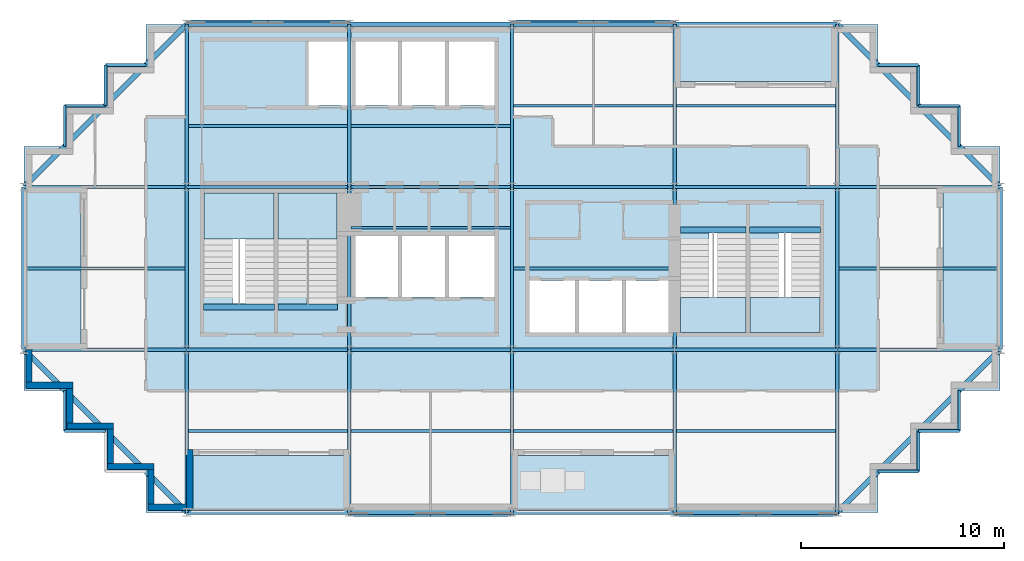
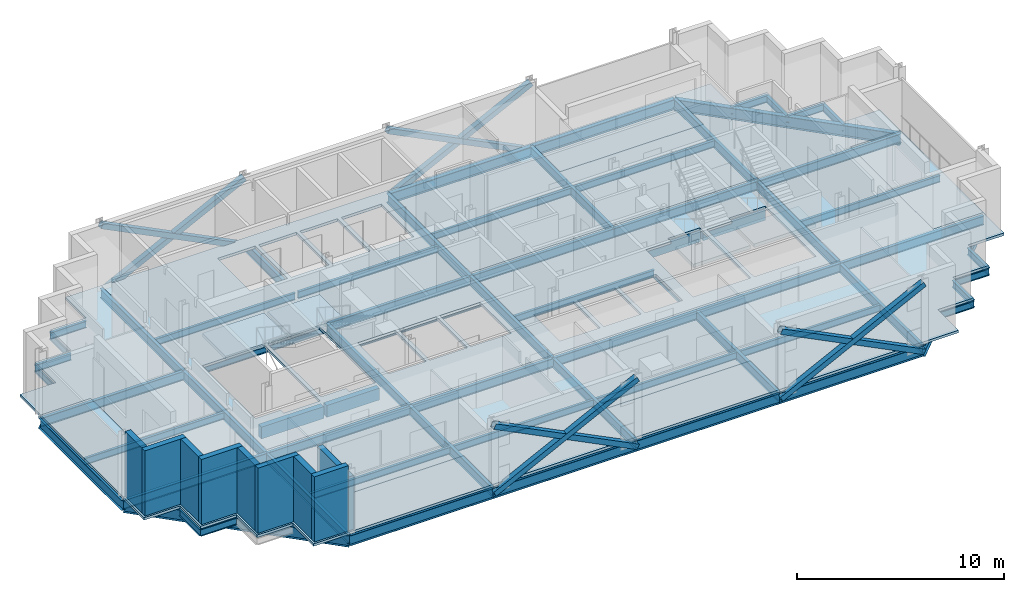
# One storey, part 3 of 10: 71 beams, 12 slabs, 9 walls, 8 members, 4 elements without a shape of their own.
"""IFC4 building model written with IfcOpenShell, lengths in metres."""

from ifc_helpers import new_model, si_unit, direction, frame, frame_2d, origin, origin_2d, place, context, subcontext, project, spatial, polyline, rectangle, hollow_rectangle, i_section, outline, extrude, material, layer, layer_set, material_profile, profile_set, type_object, element, aggregate, save


model = new_model("IFC4")

# Units and contexts
model_context = context("Model", 3, precision=1e-05, world=origin(), true_north=direction((0.0, 1.0)))
body_context = subcontext(model_context, "Body", "Model", "MODEL_VIEW")
ifc_project = project(units=[si_unit("LENGTHUNIT", "METRE"), si_unit("AREAUNIT", "SQUARE_METRE"), si_unit("VOLUMEUNIT", "CUBIC_METRE"), si_unit("PLANEANGLEUNIT", "RADIAN"), si_unit("MASSUNIT", "GRAM", prefix="KILO")], contexts=[model_context])

# Site, building, storey
site_placement = place(None, origin())
site = spatial("IfcSite", under=ifc_project, at=site_placement, CompositionType="ELEMENT")
building_placement = place(site_placement, origin())
building = spatial("IfcBuilding", under=site, at=building_placement, Name="Immortelle Media Tower", CompositionType="ELEMENT")
storey_placement = place(building_placement, frame((0.0, 0.0, 221.0)))
storey = spatial("IfcBuildingStorey", under=building, at=storey_placement, Name="L47", CompositionType="ELEMENT", Elevation=221.0)

# Members
ifc_material_1 = material(Name="Steel ASTM A500 Gr C", Category="steel")
ifc_material_profile_1 = material_profile(ifc_material_1, hollow_rectangle(XDim=0.304931640625, YDim=0.304931640625, WallThickness=0.011962890625, at=origin_2d()), Name="HSS12x12x1/2 brace")
ifc_profile_set_1 = profile_set([ifc_material_profile_1], Name="Steel ASTM A500 Gr C")
member_type = type_object("IfcMemberType", Name="HSS12x12x1/2 brace", PredefinedType="BRACE", material=ifc_profile_set_1)
for number, where, z_axis, x_axis, name in (
    (1, (16.0, -0.0625, -0.4560546875), (0.894427191, 0.0, 0.4472135955), (0.0, 1.0, 0.0), "Brace A/3-4 A"),
    (2, (16.0, -0.0625, 3.5439453125), (0.894427191, 0.0, -0.4472135955), (0.0, 1.0, 0.0), "Brace A/3-4 B"),
    (3, (32.0, -0.0625, -0.4560546875), (0.894427191, 0.0, 0.4472135955), (0.0, 1.0, 0.0), "Brace A/5-6 A"),
    (4, (32.0, -0.0625, 3.5439453125), (0.894427191, 0.0, -0.4472135955), (0.0, 1.0, 0.0), "Brace A/5-6 B"),
    (5, (32.0, 24.0625, -0.4560546875), (-0.894427191, 0.0, 0.4472135955), (0.0, -1.0, 0.0), "Brace D/4-5 A"),
    (6, (32.0, 24.0625, 3.5439453125), (-0.894427191, 0.0, -0.4472135955), (0.0, -1.0, 0.0), "Brace D/4-5 B"),
    (7, (16.0, 24.0625, -0.4560546875), (-0.894427191, 0.0, 0.4472135955), (0.0, -1.0, 0.0), "Brace D/2-3 A"),
    (8, (16.0, 24.0625, 3.5439453125), (-0.894427191, 0.0, -0.4472135955), (0.0, -1.0, 0.0), "Brace D/2-3 B"),
):
    element("IfcMember", number, at=place(storey_placement, frame(where, z_axis=z_axis, x_axis=x_axis)), inside=storey, type_object=member_type, Name=name, PredefinedType="BRACE", context=body_context, shape_type="SweptSolid", body=[
        extrude(hollow_rectangle(XDim=0.304931640625, YDim=0.304931640625, WallThickness=0.011962890625, at=origin_2d()), origin(), (0.0, 0.0, 1.0), 8.9443359375),
    ])

# Beams
ifc_material_2 = material(Name="Concrete C50/60", Category="concrete")
ifc_material_profile_2 = material_profile(ifc_material_2, rectangle(XDim=0.300048828125, YDim=0.699951171875, at=origin_2d()), Name="RC 300x700")
ifc_profile_set_2 = profile_set([ifc_material_profile_2], Name="Concrete C50/60")
beam_type_1 = type_object("IfcBeamType", Name="Stair trimmer beam 300 x 700", PredefinedType="BEAM", material=ifc_profile_set_2)
beam_1_placement = place(storey_placement, frame((8.830078125, 10.10498046875, -0.5), z_axis=(1.0, 0.0, 0.0), x_axis=(0.0, 1.0, 0.0)))
element("IfcBeam", 9, at=beam_1_placement, inside=storey, type_object=beam_type_1, Name="Stair trimmer beam SW1", PredefinedType="BEAM", context=body_context, shape_type="SweptSolid", body=[
    extrude(rectangle(XDim=0.300048828125, YDim=0.699951171875, at=origin_2d()), origin(), (0.0, 0.0, 1.0), 3.489990234375),
])
beam_2_placement = place(storey_placement, frame((12.47998046875, 10.10498046875, -0.5), z_axis=(1.0, 0.0, 0.0), x_axis=(0.0, 1.0, 0.0)))
element("IfcBeam", 10, at=beam_2_placement, inside=storey, type_object=beam_type_1, Name="Stair trimmer beam SW2", PredefinedType="BEAM", context=body_context, shape_type="SweptSolid", body=[
    extrude(rectangle(XDim=0.300048828125, YDim=0.699951171875, at=origin_2d()), origin(), (0.0, 0.0, 1.0), 2.93994140625),
])
beam_3_placement = place(storey_placement, frame((32.280029296875, 13.89501953125, -0.5), z_axis=(1.0, 0.0, 0.0), x_axis=(0.0, 1.0, 0.0)))
element("IfcBeam", 11, at=beam_3_placement, inside=storey, type_object=beam_type_1, Name="Stair trimmer beam SE1", PredefinedType="BEAM", context=body_context, shape_type="SweptSolid", body=[
    extrude(rectangle(XDim=0.300048828125, YDim=0.699951171875, at=origin_2d()), origin(), (0.0, 0.0, 1.0), 3.239990234375),
])
beam_4_placement = place(storey_placement, frame((35.679931640625, 13.89501953125, -0.5), z_axis=(1.0, 0.0, 0.0), x_axis=(0.0, 1.0, 0.0)))
element("IfcBeam", 12, at=beam_4_placement, inside=storey, type_object=beam_type_1, Name="Stair trimmer beam SE2", PredefinedType="BEAM", context=body_context, shape_type="SweptSolid", body=[
    extrude(rectangle(XDim=0.300048828125, YDim=0.699951171875, at=origin_2d()), origin(), (0.0, 0.0, 1.0), 3.489990234375),
])
ifc_material_3 = material(Name="Steel ASTM A992 Gr 50", Category="steel")
ifc_material_profile_3 = material_profile(ifc_material_3, i_section(OverallWidth=0.139892578125, OverallDepth=0.404052734375, WebThickness=0.007080078125, FlangeThickness=0.010986328125, at=origin_2d()), Name="W16x31")
ifc_profile_set_3 = profile_set([ifc_material_profile_3], Name="Steel ASTM A992 Gr 50")
beam_type_2 = type_object("IfcBeamType", Name="W16x31 secondary beam", PredefinedType="JOIST", material=ifc_profile_set_3)
for number, where, z_axis, x_axis, name in (
    (13, (8.08349609375, 4.0, -0.35205078125), (1.0, 0.0, 0.0), (0.0, 1.0, 0.0), "Beam A-B/2-3"),
    (14, (16.08349609375, 4.0, -0.35205078125), (1.0, 0.0, 0.0), (0.0, 1.0, 0.0), "Beam A-B/3-4"),
    (15, (24.08349609375, 4.0, -0.35205078125), (1.0, 0.0, 0.0), (0.0, 1.0, 0.0), "Beam A-B/4-5"),
    (16, (32.08349609375, 4.0, -0.35205078125), (1.0, 0.0, 0.0), (0.0, 1.0, 0.0), "Beam A-B/5-6"),
):
    element("IfcBeam", number, at=place(storey_placement, frame(where, z_axis=z_axis, x_axis=x_axis)), inside=storey, type_object=beam_type_2, Name=name, PredefinedType="JOIST", context=body_context, shape_type="SweptSolid", body=[
        extrude(i_section(OverallWidth=0.139892578125, OverallDepth=0.404052734375, WebThickness=0.007080078125, FlangeThickness=0.010986328125, at=origin_2d()), origin(), (0.0, 0.0, 1.0), 7.8330078125),
    ])
beam_5_placement = place(storey_placement, frame((0.114501953125, 12.0, -0.35205078125), z_axis=(1.0, 0.0, 0.0), x_axis=(0.0, 1.0, 0.0)))
element("IfcBeam", 17, at=beam_5_placement, inside=storey, type_object=beam_type_2, Name="Beam B-C/1-2", PredefinedType="JOIST", context=body_context, shape_type="SweptSolid", body=[
    extrude(i_section(OverallWidth=0.139892578125, OverallDepth=0.404052734375, WebThickness=0.007080078125, FlangeThickness=0.010986328125, at=origin_2d()), origin(), (0.0, 0.0, 1.0), 7.802001953125),
])
for number, where, z_axis, x_axis, name in (
    (18, (16.08349609375, 14.0, -0.35205078125), (1.0, 0.0, 0.0), (0.0, 1.0, 0.0), "Beam B-C/3-4"),
    (19, (24.08349609375, 12.0, -0.35205078125), (1.0, 0.0, 0.0), (0.0, 1.0, 0.0), "Beam B-C/4-5"),
):
    element("IfcBeam", number, at=place(storey_placement, frame(where, z_axis=z_axis, x_axis=x_axis)), inside=storey, type_object=beam_type_2, Name=name, PredefinedType="JOIST", context=body_context, shape_type="SweptSolid", body=[
        extrude(i_section(OverallWidth=0.139892578125, OverallDepth=0.404052734375, WebThickness=0.007080078125, FlangeThickness=0.010986328125, at=origin_2d()), origin(), (0.0, 0.0, 1.0), 7.8330078125),
    ])
beam_6_placement = place(storey_placement, frame((40.08349609375, 12.0, -0.35205078125), z_axis=(1.0, 0.0, 0.0), x_axis=(0.0, 1.0, 0.0)))
element("IfcBeam", 20, at=beam_6_placement, inside=storey, type_object=beam_type_2, Name="Beam B-C/6-7", PredefinedType="JOIST", context=body_context, shape_type="SweptSolid", body=[
    extrude(i_section(OverallWidth=0.139892578125, OverallDepth=0.404052734375, WebThickness=0.007080078125, FlangeThickness=0.010986328125, at=origin_2d()), origin(), (0.0, 0.0, 1.0), 7.802001953125),
])
for number, where, z_axis, x_axis, name in (
    (21, (8.08349609375, 19.0, -0.35205078125), (1.0, 0.0, 0.0), (0.0, 1.0, 0.0), "Beam C-D/2-3"),
    (22, (16.08349609375, 19.0, -0.35205078125), (1.0, 0.0, 0.0), (0.0, 1.0, 0.0), "Beam C-D/3-4"),
    (23, (24.08349609375, 20.0, -0.35205078125), (1.0, 0.0, 0.0), (0.0, 1.0, 0.0), "Beam C-D/4-5"),
    (24, (32.08349609375, 20.0, -0.35205078125), (1.0, 0.0, 0.0), (0.0, 1.0, 0.0), "Beam C-D/5-6"),
):
    element("IfcBeam", number, at=place(storey_placement, frame(where, z_axis=z_axis, x_axis=x_axis)), inside=storey, type_object=beam_type_2, Name=name, PredefinedType="JOIST", context=body_context, shape_type="SweptSolid", body=[
        extrude(i_section(OverallWidth=0.139892578125, OverallDepth=0.404052734375, WebThickness=0.007080078125, FlangeThickness=0.010986328125, at=origin_2d()), origin(), (0.0, 0.0, 1.0), 7.8330078125),
    ])
ifc_material_profile_4 = material_profile(ifc_material_3, i_section(OverallWidth=0.139892578125, OverallDepth=0.404052734375, WebThickness=0.007080078125, FlangeThickness=0.010986328125, at=origin_2d()), Name="W16x31")
ifc_profile_set_4 = profile_set([ifc_material_profile_4], Name="Steel ASTM A992 Gr 50")
beam_type_3 = type_object("IfcBeamType", Name="W16x31 serration edge beam", PredefinedType="SPANDREL", material=ifc_profile_set_4)
for number, where, z_axis, x_axis, name in (
    (25, (4.0, 4.0, -0.35205078125), (-1.0, 0.0, 0.0), (0.0, -1.0, 0.0), "Corner edge beam 3 at 1/A"),
    (26, (2.0, 4.0, -0.35205078125), (0.0, 1.0, 0.0), (-1.0, 0.0, 0.0), "Corner edge beam 4 at 1/A"),
    (27, (2.0, 18.0, -0.35205078125), (0.0, 1.0, 0.0), (-1.0, 0.0, 0.0), "Corner edge beam 1 at 1/D"),
    (28, (2.0, 20.0, -0.35205078125), (1.0, 0.0, 0.0), (0.0, 1.0, 0.0), "Corner edge beam 2 at 1/D"),
    (29, (4.0, 20.0, -0.35205078125), (0.0, 1.0, 0.0), (-1.0, 0.0, 0.0), "Corner edge beam 3 at 1/D"),
    (30, (4.0, 22.0, -0.35205078125), (1.0, 0.0, 0.0), (0.0, 1.0, 0.0), "Corner edge beam 4 at 1/D"),
    (31, (46.0, 6.0, -0.35205078125), (0.0, -1.0, 0.0), (1.0, 0.0, 0.0), "Corner edge beam 1 at 7/A"),
    (32, (46.0, 4.0, -0.35205078125), (-1.0, 0.0, 0.0), (0.0, -1.0, 0.0), "Corner edge beam 2 at 7/A"),
    (33, (44.0, 4.0, -0.35205078125), (0.0, -1.0, 0.0), (1.0, 0.0, 0.0), "Corner edge beam 3 at 7/A"),
    (34, (44.0, 2.0, -0.35205078125), (-1.0, 0.0, 0.0), (0.0, -1.0, 0.0), "Corner edge beam 4 at 7/A"),
    (35, (42.0, 22.0, -0.35205078125), (1.0, 0.0, 0.0), (0.0, 1.0, 0.0), "Corner edge beam 1 at 7/D"),
    (36, (44.0, 22.0, -0.35205078125), (0.0, -1.0, 0.0), (1.0, 0.0, 0.0), "Corner edge beam 2 at 7/D"),
    (37, (44.0, 20.0, -0.35205078125), (1.0, 0.0, 0.0), (0.0, 1.0, 0.0), "Corner edge beam 3 at 7/D"),
    (38, (46.0, 20.0, -0.35205078125), (0.0, -1.0, 0.0), (1.0, 0.0, 0.0), "Corner edge beam 4 at 7/D"),
):
    element("IfcBeam", number, at=place(storey_placement, frame(where, z_axis=z_axis, x_axis=x_axis)), inside=storey, type_object=beam_type_3, Name=name, PredefinedType="SPANDREL", context=body_context, shape_type="SweptSolid", body=[
        extrude(i_section(OverallWidth=0.139892578125, OverallDepth=0.404052734375, WebThickness=0.007080078125, FlangeThickness=0.010986328125, at=origin_2d()), origin(), (0.0, 0.0, 1.0), 2.0),
    ])
ifc_material_profile_5 = material_profile(ifc_material_3, i_section(OverallWidth=0.1669921875, OverallDepth=0.535888671875, WebThickness=0.010009765625, FlangeThickness=0.01708984375, at=origin_2d()), Name="W21x57")
ifc_profile_set_5 = profile_set([ifc_material_profile_5], Name="Steel ASTM A992 Gr 50")
beam_type_4 = type_object("IfcBeamType", Name="W21x57 girder", PredefinedType="BEAM", material=ifc_profile_set_5)
for number, where, z_axis, x_axis, name in (
    (39, (0.0, 8.0, -0.41796875), (1.0, 0.0, 0.0), (0.0, 1.0, 0.0), "Girder B/1-2"),
    (40, (0.0, 16.0, -0.41796875), (1.0, 0.0, 0.0), (0.0, 1.0, 0.0), "Girder C/1-2"),
    (41, (8.0, 0.0, -0.41796875), (0.0, 1.0, 0.0), (-1.0, 0.0, 0.0), "Girder 2/A-B"),
    (42, (8.0, 8.0, -0.41796875), (1.0, 0.0, 0.0), (0.0, 1.0, 0.0), "Girder B/2-3"),
    (43, (8.0, 8.0, -0.41796875), (0.0, 1.0, 0.0), (-1.0, 0.0, 0.0), "Girder 2/B-C"),
    (44, (8.0, 16.0, -0.41796875), (1.0, 0.0, 0.0), (0.0, 1.0, 0.0), "Girder C/2-3"),
    (45, (8.0, 16.0, -0.41796875), (0.0, 1.0, 0.0), (-1.0, 0.0, 0.0), "Girder 2/C-D"),
    (46, (16.0, 0.0, -0.41796875), (0.0, 1.0, 0.0), (-1.0, 0.0, 0.0), "Girder 3/A-B"),
    (47, (16.0, 8.0, -0.41796875), (1.0, 0.0, 0.0), (0.0, 1.0, 0.0), "Girder B/3-4"),
    (48, (16.0, 8.0, -0.41796875), (0.0, 1.0, 0.0), (-1.0, 0.0, 0.0), "Girder 3/B-C"),
    (49, (16.0, 16.0, -0.41796875), (1.0, 0.0, 0.0), (0.0, 1.0, 0.0), "Girder C/3-4"),
    (50, (16.0, 16.0, -0.41796875), (0.0, 1.0, 0.0), (-1.0, 0.0, 0.0), "Girder 3/C-D"),
    (51, (24.0, 0.0, -0.41796875), (0.0, 1.0, 0.0), (-1.0, 0.0, 0.0), "Girder 4/A-B"),
    (52, (24.0, 8.0, -0.41796875), (1.0, 0.0, 0.0), (0.0, 1.0, 0.0), "Girder B/4-5"),
    (53, (24.0, 8.0, -0.41796875), (0.0, 1.0, 0.0), (-1.0, 0.0, 0.0), "Girder 4/B-C"),
    (54, (24.0, 16.0, -0.41796875), (1.0, 0.0, 0.0), (0.0, 1.0, 0.0), "Girder C/4-5"),
    (55, (24.0, 16.0, -0.41796875), (0.0, 1.0, 0.0), (-1.0, 0.0, 0.0), "Girder 4/C-D"),
    (56, (32.0, 0.0, -0.41796875), (0.0, 1.0, 0.0), (-1.0, 0.0, 0.0), "Girder 5/A-B"),
    (57, (32.0, 8.0, -0.41796875), (1.0, 0.0, 0.0), (0.0, 1.0, 0.0), "Girder B/5-6"),
    (58, (32.0, 8.0, -0.41796875), (0.0, 1.0, 0.0), (-1.0, 0.0, 0.0), "Girder 5/B-C"),
    (59, (32.0, 16.0, -0.41796875), (1.0, 0.0, 0.0), (0.0, 1.0, 0.0), "Girder C/5-6"),
    (60, (32.0, 16.0, -0.41796875), (0.0, 1.0, 0.0), (-1.0, 0.0, 0.0), "Girder 5/C-D"),
    (61, (40.0, 0.0, -0.41796875), (0.0, 1.0, 0.0), (-1.0, 0.0, 0.0), "Girder 6/A-B"),
    (62, (40.0, 8.0, -0.41796875), (1.0, 0.0, 0.0), (0.0, 1.0, 0.0), "Girder B/6-7"),
    (63, (40.0, 8.0, -0.41796875), (0.0, 1.0, 0.0), (-1.0, 0.0, 0.0), "Girder 6/B-C"),
    (64, (40.0, 16.0, -0.41796875), (1.0, 0.0, 0.0), (0.0, 1.0, 0.0), "Girder C/6-7"),
    (65, (40.0, 16.0, -0.41796875), (0.0, 1.0, 0.0), (-1.0, 0.0, 0.0), "Girder 6/C-D"),
):
    element("IfcBeam", number, at=place(storey_placement, frame(where, z_axis=z_axis, x_axis=x_axis)), inside=storey, type_object=beam_type_4, Name=name, PredefinedType="BEAM", context=body_context, shape_type="SweptSolid", body=[
        extrude(i_section(OverallWidth=0.1669921875, OverallDepth=0.535888671875, WebThickness=0.010009765625, FlangeThickness=0.01708984375, at=origin_2d()), origin(), (0.0, 0.0, 1.0), 8.0),
    ])
ifc_material_profile_6 = material_profile(ifc_material_3, i_section(OverallWidth=0.22900390625, OverallDepth=0.612060546875, WebThickness=0.011962890625, FlangeThickness=0.02001953125, at=origin_2d()), Name="W24x84")
ifc_profile_set_6 = profile_set([ifc_material_profile_6], Name="Steel ASTM A992 Gr 50")
beam_type_5 = type_object("IfcBeamType", Name="W24x84 perimeter girder", PredefinedType="SPANDREL", material=ifc_profile_set_6)
for number, where, z_axis, x_axis, name in (
    (66, (0.0, 8.0, -0.4560546875), (0.0, 1.0, 0.0), (-1.0, 0.0, 0.0), "Girder 1/B-C"),
    (67, (8.0, 0.0, -0.4560546875), (1.0, 0.0, 0.0), (0.0, 1.0, 0.0), "Girder A/2-3"),
    (68, (8.0, 24.0, -0.4560546875), (1.0, 0.0, 0.0), (0.0, 1.0, 0.0), "Girder D/2-3"),
    (69, (16.0, 0.0, -0.4560546875), (1.0, 0.0, 0.0), (0.0, 1.0, 0.0), "Girder A/3-4"),
    (70, (16.0, 24.0, -0.4560546875), (1.0, 0.0, 0.0), (0.0, 1.0, 0.0), "Girder D/3-4"),
    (71, (24.0, 0.0, -0.4560546875), (1.0, 0.0, 0.0), (0.0, 1.0, 0.0), "Girder A/4-5"),
    (72, (24.0, 24.0, -0.4560546875), (1.0, 0.0, 0.0), (0.0, 1.0, 0.0), "Girder D/4-5"),
    (73, (32.0, 0.0, -0.4560546875), (1.0, 0.0, 0.0), (0.0, 1.0, 0.0), "Girder A/5-6"),
    (74, (32.0, 24.0, -0.4560546875), (1.0, 0.0, 0.0), (0.0, 1.0, 0.0), "Girder D/5-6"),
    (75, (48.0, 8.0, -0.4560546875), (0.0, 1.0, 0.0), (-1.0, 0.0, 0.0), "Girder 7/B-C"),
):
    element("IfcBeam", number, at=place(storey_placement, frame(where, z_axis=z_axis, x_axis=x_axis)), inside=storey, type_object=beam_type_5, Name=name, PredefinedType="SPANDREL", context=body_context, shape_type="SweptSolid", body=[
        extrude(i_section(OverallWidth=0.22900390625, OverallDepth=0.612060546875, WebThickness=0.011962890625, FlangeThickness=0.02001953125, at=origin_2d()), origin(), (0.0, 0.0, 1.0), 8.0),
    ])
ifc_material_profile_7 = material_profile(ifc_material_3, i_section(OverallWidth=0.2529296875, OverallDepth=0.677978515625, WebThickness=0.011962890625, FlangeThickness=0.01611328125, at=origin_2d()), Name="W27x84")
ifc_profile_set_7 = profile_set([ifc_material_profile_7], Name="Steel ASTM A992 Gr 50")
beam_type_6 = type_object("IfcBeamType", Name="W27x84 corner girder", PredefinedType="SPANDREL", material=ifc_profile_set_7)
for number, where, z_axis, x_axis, name in (
    (76, (8.0, 0.0, -0.489013671875), (-0.707106781187, 0.707106781187, 0.0), (-0.707106781187, -0.707106781187, 0.0), "Corner girder at 1/A"),
    (77, (0.0, 16.0, -0.489013671875), (0.707106781187, 0.707106781187, 0.0), (-0.707106781187, 0.707106781187, 0.0), "Corner girder at 1/D"),
    (78, (48.0, 8.0, -0.489013671875), (-0.707106781187, -0.707106781187, 0.0), (0.707106781187, -0.707106781187, 0.0), "Corner girder at 7/A"),
    (79, (40.0, 24.0, -0.489013671875), (0.707106781187, -0.707106781187, 0.0), (0.707106781187, 0.707106781187, 0.0), "Corner girder at 7/D"),
):
    element("IfcBeam", number, at=place(storey_placement, frame(where, z_axis=z_axis, x_axis=x_axis)), inside=storey, type_object=beam_type_6, Name=name, PredefinedType="SPANDREL", context=body_context, shape_type="SweptSolid", body=[
        extrude(i_section(OverallWidth=0.2529296875, OverallDepth=0.677978515625, WebThickness=0.011962890625, FlangeThickness=0.01611328125, at=origin_2d()), origin(), (0.0, 0.0, 1.0), 11.313720703125),
    ])

# Slabs
ifc_material_4 = material(Name="Concrete C50/60 composite deck", Category="concrete")
ifc_layer_1 = layer(ifc_material_4, 0.14990234375)
ifc_layer_set_1 = layer_set([ifc_layer_1], Name="Concrete C50/60 composite deck")
slab_type_1 = type_object("IfcSlabType", Name="Balcony slab 150", PredefinedType="FLOOR", material=ifc_layer_set_1)
slab_1_placement = place(storey_placement, frame((0.0, 0.0, -0.14990234375)))
element("IfcSlab", 80, at=slab_1_placement, inside=storey, type_object=slab_type_1, Name="Balcony slab L47 S0", PredefinedType="FLOOR", context=body_context, shape_type="SweptSolid", body=[
    extrude(outline(polyline([(16.0, 0.0), (16.0, 2.800048828125), (8.0, 2.800048828125), (8.0, 0.0), (16.0, 0.0)])), origin(), (0.0, 0.0, 1.0), 0.14990234375),
])
slab_2_placement = place(storey_placement, frame((0.0, 0.0, -0.14990234375)))
element("IfcSlab", 81, at=slab_2_placement, inside=storey, type_object=slab_type_1, Name="Balcony slab L47 S2", PredefinedType="FLOOR", context=body_context, shape_type="SweptSolid", body=[
    extrude(outline(polyline([(32.0, 0.0), (32.0, 2.800048828125), (24.0, 2.800048828125), (24.0, 0.0), (32.0, 0.0)])), origin(), (0.0, 0.0, 1.0), 0.14990234375),
])
slab_3_placement = place(storey_placement, frame((0.0, 0.0, -0.14990234375)))
element("IfcSlab", 82, at=slab_3_placement, inside=storey, type_object=slab_type_1, Name="Balcony slab L47 E0", PredefinedType="FLOOR", context=body_context, shape_type="SweptSolid", body=[
    extrude(outline(polyline([(48.0, 8.0), (48.0, 16.0), (45.199951171875, 16.0), (45.199951171875, 8.0), (48.0, 8.0)])), origin(), (0.0, 0.0, 1.0), 0.14990234375),
])
slab_4_placement = place(storey_placement, frame((0.0, 0.0, -0.14990234375)))
element("IfcSlab", 83, at=slab_4_placement, inside=storey, type_object=slab_type_1, Name="Balcony slab L47 N0", PredefinedType="FLOOR", context=body_context, shape_type="SweptSolid", body=[
    extrude(outline(polyline([(40.0, 21.199951171875), (40.0, 24.0), (32.0, 24.0), (32.0, 21.199951171875), (40.0, 21.199951171875)])), origin(), (0.0, 0.0, 1.0), 0.14990234375),
])
slab_5_placement = place(storey_placement, frame((0.0, 0.0, -0.14990234375)))
element("IfcSlab", 84, at=slab_5_placement, inside=storey, type_object=slab_type_1, Name="Balcony slab L47 W0", PredefinedType="FLOOR", context=body_context, shape_type="SweptSolid", body=[
    extrude(outline(polyline([(2.800048828125, 8.0), (2.800048828125, 16.0), (0.0, 16.0), (0.0, 8.0), (2.800048828125, 8.0)])), origin(), (0.0, 0.0, 1.0), 0.14990234375),
])
ifc_layer_2 = layer(ifc_material_2, 0.14990234375)
ifc_layer_set_2 = layer_set([ifc_layer_2], Name="Concrete C50/60")
slab_type_2 = type_object("IfcSlabType", Name="Composite floor slab 150", PredefinedType="FLOOR", material=ifc_layer_set_2)
slab_6_placement = place(storey_placement, frame((0.0, 0.0, -0.14990234375)))
element("IfcSlab", 85, at=slab_6_placement, inside=storey, type_object=slab_type_2, Name="Floor slab L47", PredefinedType="FLOOR", context=body_context, shape_type="SweptSolid", body=[
    extrude(outline(polyline([(6.0, 0.0), (6.0, 2.0), (4.0, 2.0), (4.0, 4.0), (2.0, 4.0), (2.0, 6.0), (0.0, 6.0), (0.0, 8.0), (2.800048828125, 8.0), (2.800048828125, 16.0), (0.0, 16.0), (0.0, 18.0), (2.0, 18.0), (2.0, 20.0), (4.0, 20.0), (4.0, 22.0), (6.0, 22.0), (6.0, 24.0), (8.0, 24.0), (8.0, 8.0), (24.0, 8.0), (40.0, 8.0), (40.0, 16.0), (24.0, 16.0), (24.0, 21.199951171875), (24.0, 24.0), (32.0, 24.0), (32.0, 21.199951171875), (40.0, 21.199951171875), (40.0, 24.0), (42.0, 24.0), (42.0, 22.0), (44.0, 22.0), (44.0, 20.0), (46.0, 20.0), (46.0, 18.0), (48.0, 18.0), (48.0, 16.0), (45.199951171875, 16.0), (45.199951171875, 8.0), (48.0, 8.0), (48.0, 6.0), (46.0, 6.0), (46.0, 4.0), (44.0, 4.0), (44.0, 2.0), (42.0, 2.0), (42.0, 0.0), (32.0, 0.0), (32.0, 2.800048828125), (24.0, 2.800048828125), (24.0, 0.0), (16.0, 0.0), (16.0, 2.800048828125), (8.0, 2.800048828125), (8.0, 0.0), (6.0, 0.0)])), origin(), (0.0, 0.0, 1.0), 0.14990234375),
])
ifc_layer_3 = layer(ifc_material_2, 0.14990234375)
ifc_layer_set_3 = layer_set([ifc_layer_3], Name="Concrete C50/60")
slab_type_3 = type_object("IfcSlabType", Name="Core floor slab 150", PredefinedType="FLOOR", material=ifc_layer_set_3)
slab_7_placement = place(storey_placement, frame((0.0, 0.0, -0.14990234375)))
element("IfcSlab", 86, at=slab_7_placement, inside=storey, type_object=slab_type_3, Name="Core floor SW", PredefinedType="FLOOR", context=body_context, shape_type="SweptSolid", body=[
    extrude(outline(polyline([(8.0, 8.0), (24.0, 8.0), (24.0, 24.0), (8.0, 24.0), (8.0, 8.0)]), holes=[polyline([(14.0, 20.0), (16.10009765625, 20.0), (16.10009765625, 23.14990234375), (14.0, 23.14990234375), (14.0, 20.0)]), polyline([(16.300048828125, 20.0), (18.39990234375, 20.0), (18.39990234375, 23.14990234375), (16.300048828125, 23.14990234375), (16.300048828125, 20.0)]), polyline([(18.60009765625, 20.0), (20.699951171875, 20.0), (20.699951171875, 23.14990234375), (18.60009765625, 23.14990234375), (18.60009765625, 20.0)]), polyline([(20.89990234375, 20.0), (23.14990234375, 20.0), (23.14990234375, 23.14990234375), (20.89990234375, 23.14990234375), (20.89990234375, 20.0)]), polyline([(16.300048828125, 10.60009765625), (18.39990234375, 10.60009765625), (18.39990234375, 13.60009765625), (16.300048828125, 13.60009765625), (16.300048828125, 10.60009765625)]), polyline([(18.60009765625, 10.60009765625), (20.699951171875, 10.60009765625), (20.699951171875, 13.60009765625), (18.60009765625, 13.60009765625), (18.60009765625, 10.60009765625)]), polyline([(20.89990234375, 10.60009765625), (23.14990234375, 10.60009765625), (23.14990234375, 13.60009765625), (20.89990234375, 13.60009765625), (20.89990234375, 10.60009765625)]), polyline([(8.85009765625, 15.699951171875), (12.300048828125, 15.699951171875), (12.300048828125, 10.27001953125), (10.25, 10.27001953125), (10.25, 10.56005859375), (8.85009765625, 10.56005859375), (8.85009765625, 15.699951171875)]), polyline([(12.5, 15.699951171875), (15.39990234375, 15.699951171875), (15.39990234375, 10.27001953125), (13.89990234375, 10.27001953125), (13.89990234375, 10.56005859375), (12.5, 10.56005859375), (12.5, 15.699951171875)])]), origin(), (0.0, 0.0, 1.0), 0.14990234375),
])
slab_8_placement = place(storey_placement, frame((0.0, 0.0, -0.14990234375)))
element("IfcSlab", 87, at=slab_8_placement, inside=storey, type_object=slab_type_3, Name="Core floor SE", PredefinedType="FLOOR", context=body_context, shape_type="SweptSolid", body=[
    extrude(outline(polyline([(24.0, 8.0), (40.0, 8.0), (40.0, 16.0), (24.0, 16.0), (24.0, 8.0)]), holes=[polyline([(24.85009765625, 8.85009765625), (27.10009765625, 8.85009765625), (27.10009765625, 11.39990234375), (24.85009765625, 11.39990234375), (24.85009765625, 8.85009765625)]), polyline([(27.300048828125, 8.85009765625), (29.39990234375, 8.85009765625), (29.39990234375, 11.39990234375), (27.300048828125, 11.39990234375), (27.300048828125, 8.85009765625)]), polyline([(29.60009765625, 8.85009765625), (31.699951171875, 8.85009765625), (31.699951171875, 11.39990234375), (29.60009765625, 11.39990234375), (29.60009765625, 8.85009765625)]), polyline([(35.5, 13.72998046875), (35.5, 8.85009765625), (32.300048828125, 8.85009765625), (32.300048828125, 13.43994140625), (33.699951171875, 13.43994140625), (33.699951171875, 13.72998046875), (35.5, 13.72998046875)]), polyline([(39.14990234375, 13.72998046875), (39.14990234375, 8.85009765625), (35.699951171875, 8.85009765625), (35.699951171875, 13.43994140625), (37.10009765625, 13.43994140625), (37.10009765625, 13.72998046875), (39.14990234375, 13.72998046875)])]), origin(), (0.0, 0.0, 1.0), 0.14990234375),
])

# Stair, slab
stair_type = type_object("IfcStairType", Name="Stair with flights", PredefinedType="DOUBLE_RETURN_STAIR", material=ifc_material_3)
stair_1_placement = place(storey_placement, origin())
stair_1 = element("IfcStair", 88, at=stair_1_placement, inside=storey, type_object=stair_type, Name="Exit stair SW1", PredefinedType="DOUBLE_RETURN_STAIR")
ifc_material_5 = material(Name="Steel ASTM A572 Gr 50", Category="steel")
ifc_layer_4 = layer(ifc_material_5, 0.199951171875)
ifc_layer_set_4 = layer_set([ifc_layer_4], Name="Steel ASTM A572 Gr 50")
slab_type_4 = type_object("IfcSlabType", Name="Stair landing 200", PredefinedType="LANDING", material=ifc_layer_set_4)
slab_9_placement = place(storey_placement, frame((0.0, 0.0, 1.713134765625)))
slab_9 = element("IfcSlab", 89, at=slab_9_placement, type_object=slab_type_4, Name="ST SW1 landing 1", PredefinedType="LANDING", context=body_context, shape_type="SweptSolid", body=[
    extrude(outline(polyline([(8.85009765625, 13.43994140625), (12.300048828125, 13.43994140625), (12.300048828125, 15.699951171875), (8.85009765625, 15.699951171875), (8.85009765625, 13.43994140625)])), origin(), (0.0, 0.0, 1.0), 0.199951171875),
])
aggregate(stair_1, [slab_9])

stair_2_placement = place(storey_placement, origin())
stair_2 = element("IfcStair", 90, at=stair_2_placement, inside=storey, type_object=stair_type, Name="Exit stair SW2", PredefinedType="DOUBLE_RETURN_STAIR")
slab_10_placement = place(storey_placement, frame((0.0, 0.0, 1.713134765625)))
slab_10 = element("IfcSlab", 91, at=slab_10_placement, type_object=slab_type_4, Name="ST SW2 landing 1", PredefinedType="LANDING", context=body_context, shape_type="SweptSolid", body=[
    extrude(outline(polyline([(12.5, 13.43994140625), (15.39990234375, 13.43994140625), (15.39990234375, 15.699951171875), (12.5, 15.699951171875), (12.5, 13.43994140625)])), origin(), (0.0, 0.0, 1.0), 0.199951171875),
])
aggregate(stair_2, [slab_10])

stair_3_placement = place(storey_placement, origin())
stair_3 = element("IfcStair", 92, at=stair_3_placement, inside=storey, type_object=stair_type, Name="Exit stair SE1", PredefinedType="DOUBLE_RETURN_STAIR")
slab_11_placement = place(storey_placement, frame((0.0, 0.0, 1.713134765625)))
slab_11 = element("IfcSlab", 93, at=slab_11_placement, type_object=slab_type_4, Name="ST SE1 landing 1", PredefinedType="LANDING", context=body_context, shape_type="SweptSolid", body=[
    extrude(outline(polyline([(32.300048828125, 8.85009765625), (35.5, 8.85009765625), (35.5, 10.56005859375), (32.300048828125, 10.56005859375), (32.300048828125, 8.85009765625)])), origin(), (0.0, 0.0, 1.0), 0.199951171875),
])
aggregate(stair_3, [slab_11])

stair_4_placement = place(storey_placement, origin())
stair_4 = element("IfcStair", 94, at=stair_4_placement, inside=storey, type_object=stair_type, Name="Exit stair SE2", PredefinedType="DOUBLE_RETURN_STAIR")
slab_12_placement = place(storey_placement, frame((0.0, 0.0, 1.713134765625)))
slab_12 = element("IfcSlab", 95, at=slab_12_placement, type_object=slab_type_4, Name="ST SE2 landing 1", PredefinedType="LANDING", context=body_context, shape_type="SweptSolid", body=[
    extrude(outline(polyline([(35.699951171875, 8.85009765625), (39.14990234375, 8.85009765625), (39.14990234375, 10.56005859375), (35.699951171875, 10.56005859375), (35.699951171875, 8.85009765625)])), origin(), (0.0, 0.0, 1.0), 0.199951171875),
])
aggregate(stair_4, [slab_12])

# Walls
ifc_material_6 = material(Name="Pale aluminium cladding panel", Category="aluminium")
ifc_layer_5 = layer(ifc_material_6, 0.030029296875)
ifc_material_7 = material(Name="Steel ASTM A653 SS Gr 50 stud frame with mineral wool", Category="steel")
ifc_layer_6 = layer(ifc_material_7, 0.257568359375)
ifc_material_8 = material(Name="Moisture-resistant gypsum board", Category="gypsum")
ifc_layer_7 = layer(ifc_material_8, 0.012451171875)
ifc_layer_set_5 = layer_set([ifc_layer_5, ifc_layer_6, ifc_layer_7], Name="Steel ASTM A653 SS Gr 50 stud frame with mineral wool")
wall_type = type_object("IfcWallType", Name="Facade wall 300", PredefinedType="SOLIDWALL", material=ifc_layer_set_5)
wall_1_placement = place(storey_placement, frame((0.10009765625, 6.25, 0.0), z_axis=(0.0, 0.0, 1.0), x_axis=(1.0, 0.0, 0.0)))
element("IfcWall", 96, at=wall_1_placement, inside=storey, type_object=wall_type, Name="Facade wall L47 S0", PredefinedType="SOLIDWALL", context=body_context, shape_type="SweptSolid", body=[
    extrude(rectangle(XDim=2.2998046875, YDim=0.300048828125, at=frame_2d((1.14990234375, 0.0))), origin(), (0.0, 0.0, 1.0), 3.85009765625),
])
wall_2_placement = place(storey_placement, frame((2.25, 6.10009765625, 0.0), z_axis=(0.0, 0.0, 1.0), x_axis=(0.0, -1.0, 0.0)))
element("IfcWall", 97, at=wall_2_placement, inside=storey, type_object=wall_type, Name="Facade wall L47 W1", PredefinedType="SOLIDWALL", context=body_context, shape_type="SweptSolid", body=[
    extrude(rectangle(XDim=1.7001953125, YDim=0.300048828125, at=frame_2d((0.85009765625, 0.0))), origin(), (0.0, 0.0, 1.0), 3.85009765625),
])
wall_3_placement = place(storey_placement, frame((2.10009765625, 4.25, 0.0), z_axis=(0.0, 0.0, 1.0), x_axis=(1.0, 0.0, 0.0)))
element("IfcWall", 98, at=wall_3_placement, inside=storey, type_object=wall_type, Name="Facade wall L47 S2", PredefinedType="SOLIDWALL", context=body_context, shape_type="SweptSolid", body=[
    extrude(rectangle(XDim=2.2998046875, YDim=0.300048828125, at=frame_2d((1.14990234375, 0.0))), origin(), (0.0, 0.0, 1.0), 3.85009765625),
])
wall_4_placement = place(storey_placement, frame((4.25, 4.10009765625, 0.0), z_axis=(0.0, 0.0, 1.0), x_axis=(0.0, -1.0, 0.0)))
element("IfcWall", 99, at=wall_4_placement, inside=storey, type_object=wall_type, Name="Facade wall L47 W3", PredefinedType="SOLIDWALL", context=body_context, shape_type="SweptSolid", body=[
    extrude(rectangle(XDim=1.7001953125, YDim=0.300048828125, at=frame_2d((0.85009765625, 0.0))), origin(), (0.0, 0.0, 1.0), 3.85009765625),
])
wall_5_placement = place(storey_placement, frame((4.10009765625, 2.25, 0.0), z_axis=(0.0, 0.0, 1.0), x_axis=(1.0, 0.0, 0.0)))
element("IfcWall", 100, at=wall_5_placement, inside=storey, type_object=wall_type, Name="Facade wall L47 S4", PredefinedType="SOLIDWALL", context=body_context, shape_type="SweptSolid", body=[
    extrude(rectangle(XDim=2.2998046875, YDim=0.300048828125, at=frame_2d((1.14990234375, 0.0))), origin(), (0.0, 0.0, 1.0), 3.85009765625),
])
wall_6_placement = place(storey_placement, frame((6.25, 2.10009765625, 0.0), z_axis=(0.0, 0.0, 1.0), x_axis=(0.0, -1.0, 0.0)))
element("IfcWall", 101, at=wall_6_placement, inside=storey, type_object=wall_type, Name="Facade wall L47 W5", PredefinedType="SOLIDWALL", context=body_context, shape_type="SweptSolid", body=[
    extrude(rectangle(XDim=1.7001953125, YDim=0.300048828125, at=frame_2d((0.85009765625, 0.0))), origin(), (0.0, 0.0, 1.0), 3.85009765625),
])
wall_7_placement = place(storey_placement, frame((6.10009765625, 0.25, 0.0), z_axis=(0.0, 0.0, 1.0), x_axis=(1.0, 0.0, 0.0)))
element("IfcWall", 102, at=wall_7_placement, inside=storey, type_object=wall_type, Name="Facade wall L47 S6", PredefinedType="SOLIDWALL", context=body_context, shape_type="SweptSolid", body=[
    extrude(rectangle(XDim=1.89990234375, YDim=0.300048828125, at=frame_2d((0.949951171875, 0.0))), origin(), (0.0, 0.0, 1.0), 3.85009765625),
])
wall_8_placement = place(storey_placement, frame((8.14990234375, 0.10009765625, 0.0), z_axis=(0.0, 0.0, 1.0), x_axis=(0.0, 1.0, 0.0)))
element("IfcWall", 103, at=wall_8_placement, inside=storey, type_object=wall_type, Name="Loggia cheek wall L47 S", PredefinedType="SOLIDWALL", context=body_context, shape_type="SweptSolid", body=[
    extrude(rectangle(XDim=3.0, YDim=0.300048828125, at=frame_2d((1.5, 0.0))), origin(), (0.0, 0.0, 1.0), 3.1708984375),
])
wall_9_placement = place(storey_placement, frame((0.25, 8.0, 0.0), z_axis=(0.0, 0.0, 1.0), x_axis=(0.0, -1.0, 0.0)))
element("IfcWall", 104, at=wall_9_placement, inside=storey, type_object=wall_type, Name="Facade wall L47 W27", PredefinedType="SOLIDWALL", context=body_context, shape_type="SweptSolid", body=[
    extrude(rectangle(XDim=1.60009765625, YDim=0.300048828125, at=frame_2d((0.800048828125, 0.0))), origin(), (0.0, 0.0, 1.0), 3.85009765625),
])

save(model, "model.ifc")
